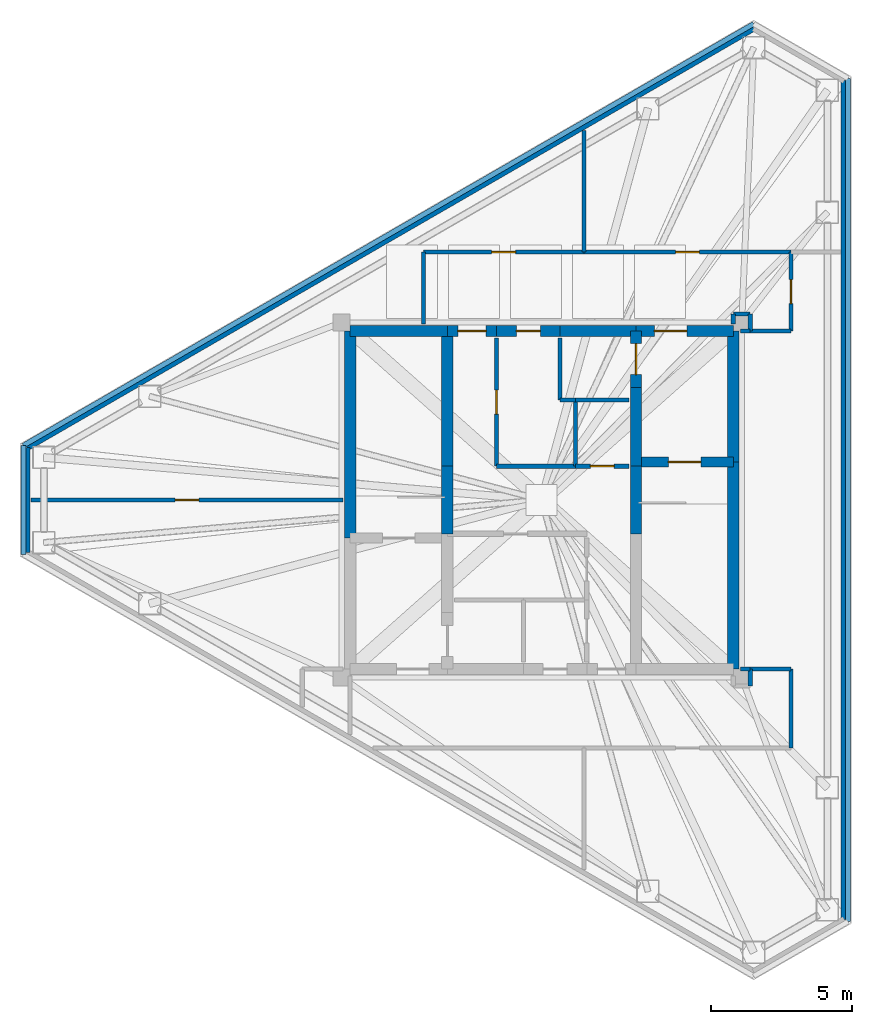
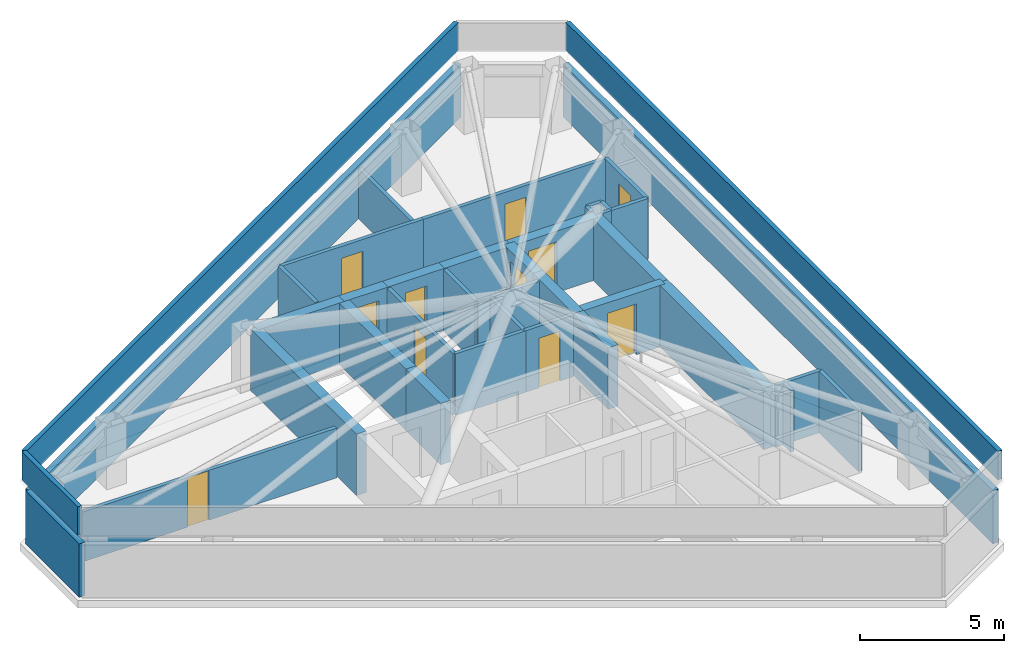
# One storey, part 3 of 5: 42 walls, 11 doors, 11 openings.
"""IFC4 building model written with IfcOpenShell, lengths in metres."""

from ifc_helpers import new_model, si_unit, direction, frame, frame_2d, origin, place, context, subcontext, project, spatial, rectangle, extrude, material, layer, layer_set, type_object, element, fill, save


model = new_model("IFC4")

# Units and contexts
model_context = context("Model", 3, precision=1e-05, world=origin(), true_north=direction((0.0, 1.0)))
body_context = subcontext(model_context, "Body", "Model", "MODEL_VIEW")
ifc_project = project(units=[si_unit("LENGTHUNIT", "METRE"), si_unit("AREAUNIT", "SQUARE_METRE"), si_unit("VOLUMEUNIT", "CUBIC_METRE"), si_unit("PLANEANGLEUNIT", "RADIAN"), si_unit("MASSUNIT", "GRAM", prefix="KILO")], contexts=[model_context])

# Site, building, storey
site_placement = place(None, origin())
site = spatial("IfcSite", under=ifc_project, at=site_placement, CompositionType="ELEMENT")
building_placement = place(site_placement, origin())
building = spatial("IfcBuilding", under=site, at=building_placement, Name="Mersakhor Tower and Convention Hall", CompositionType="ELEMENT")
storey_placement = place(building_placement, frame((0.0, 0.0, 264.0)))
storey = spatial("IfcBuildingStorey", under=building, at=storey_placement, Name="L73", CompositionType="ELEMENT", Elevation=264.0)

# Walls
ifc_material_1 = material(Name="Precast concrete C40/50", Category="concrete")
ifc_layer_1 = layer(ifc_material_1, 0.22509765625)
ifc_layer_set_1 = layer_set([ifc_layer_1], Name="Precast concrete C40/50")
wall_type_1 = type_object("IfcWallType", Name="WL-EXT-225", PredefinedType="SOLIDWALL", material=ifc_layer_set_1)
wall_1_placement = place(storey_placement, frame((10.73193359375, 28.607666015625, 0.0), z_axis=(0.0, 0.0, 1.0), x_axis=(0.866023553042, 0.500003205566, 0.0)))
element("IfcWall", 1, at=wall_1_placement, inside=storey, type_object=wall_type_1, Name="L73 Glass-Point Crown Eave Cladding Wall 1", PredefinedType="SOLIDWALL", context=body_context, shape_type="SweptSolid", body=[
    extrude(rectangle(XDim=29.783447265625, YDim=0.22509765625, at=frame_2d((14.8916015625, 0.0))), origin(), (0.0, 0.0, 1.0), 2.25),
])
wall_2_placement = place(storey_placement, frame((39.742919921875, 41.641845703125, 0.0), z_axis=(0.0, 0.0, 1.0), x_axis=(0.0, -1.0, 0.0)))
element("IfcWall", 2, at=wall_2_placement, inside=storey, type_object=wall_type_1, Name="L73 Glass-Point Crown Eave Cladding Wall 3", PredefinedType="SOLIDWALL", context=body_context, shape_type="SweptSolid", body=[
    extrude(rectangle(XDim=29.78369140625, YDim=0.22509765625, at=frame_2d((14.891845703125, 0.0))), origin(), (0.0, 0.0, 1.0), 2.25),
])
wall_3_placement = place(storey_placement, frame((10.73193359375, 24.892333984375, 0.0), z_axis=(0.0, 0.0, 1.0), x_axis=(0.0, 1.0, 0.0)))
element("IfcWall", 3, at=wall_3_placement, inside=storey, type_object=wall_type_1, Name="L73 Glass-Point Crown Eave Cladding Wall 6", PredefinedType="SOLIDWALL", context=body_context, shape_type="SweptSolid", body=[
    extrude(rectangle(XDim=3.71533203125, YDim=0.22509765625, at=frame_2d((1.857666015625, 0.0))), origin(), (0.0, 0.0, 1.0), 2.25),
])
ifc_material_2 = material(Name="Precast concrete C40/50", Category="concrete")
ifc_layer_2 = layer(ifc_material_2, 0.175048828125)
ifc_layer_set_2 = layer_set([ifc_layer_2], Name="Precast concrete C40/50")
wall_type_2 = type_object("IfcWallType", Name="WL-PAR-175", PredefinedType="PARAPET", material=ifc_layer_set_2)
wall_4_placement = place(storey_placement, frame((10.60205078125, 28.6826171875, 2.699951171875), z_axis=(0.0, 0.0, 1.0), x_axis=(0.866024093284, 0.500002269847, 0.0)))
element("IfcWall", 4, at=wall_4_placement, inside=storey, type_object=wall_type_2, Name="L73 Crown Eave Perimeter Parapet 1", PredefinedType="PARAPET", context=body_context, shape_type="SweptSolid", body=[
    extrude(rectangle(XDim=29.933349609375, YDim=0.175048828125, at=frame_2d((14.966796875, 0.0))), origin(), (0.0, 0.0, 1.0), 1.199951171875),
])
wall_5_placement = place(storey_placement, frame((39.872802734375, 41.716796875, 2.699951171875), z_axis=(0.0, 0.0, 1.0), x_axis=(0.0, -1.0, 0.0)))
element("IfcWall", 5, at=wall_5_placement, inside=storey, type_object=wall_type_2, Name="L73 Crown Eave Perimeter Parapet 3", PredefinedType="PARAPET", context=body_context, shape_type="SweptSolid", body=[
    extrude(rectangle(XDim=29.93359375, YDim=0.175048828125, at=frame_2d((14.966796875, 0.0))), origin(), (0.0, 0.0, 1.0), 1.199951171875),
])
wall_6_placement = place(storey_placement, frame((10.60205078125, 24.8173828125, 2.699951171875), z_axis=(0.0, 0.0, 1.0), x_axis=(0.0, 1.0, 0.0)))
element("IfcWall", 6, at=wall_6_placement, inside=storey, type_object=wall_type_2, Name="L73 Crown Eave Perimeter Parapet 6", PredefinedType="PARAPET", context=body_context, shape_type="SweptSolid", body=[
    extrude(rectangle(XDim=3.865234375, YDim=0.175048828125, at=frame_2d((1.9326171875, 0.0))), origin(), (0.0, 0.0, 1.0), 1.199951171875),
])
ifc_material_3 = material(Name="Fire-rated gypsum board stud partition", Category="other")
ifc_layer_3 = layer(ifc_material_3, 0.14990234375)
ifc_layer_set_3 = layer_set([ifc_layer_3], Name="Fire-rated gypsum board stud partition")
wall_type_3 = type_object("IfcWallType", Name="WL-PRT-150", PredefinedType="PARTITIONING", material=ifc_layer_set_3)
wall_7_placement = place(storey_placement, frame((32.10009765625, 30.300048828125, 0.0), z_axis=(0.0, 0.0, 1.0), x_axis=(-1.0, 0.0, 0.0)))
element("IfcWall", 7, at=wall_7_placement, inside=storey, type_object=wall_type_3, Name="L73 Interior Partition Wall P-003", PredefinedType="PARTITIONING", context=body_context, shape_type="SweptSolid", body=[
    extrude(rectangle(XDim=1.900146484375, YDim=0.14990234375, at=frame_2d((0.9501953125, 0.0))), origin(), (0.0, 0.0, 1.0), 2.60009765625),
])
wall_8_placement = place(storey_placement, frame((30.199951171875, 30.300048828125, 0.0), z_axis=(0.0, 0.0, 1.0), x_axis=(-1.0, 0.0, 0.0)))
element("IfcWall", 8, at=wall_8_placement, inside=storey, type_object=wall_type_3, Name="L73 Interior Partition Wall P-004", PredefinedType="PARTITIONING", context=body_context, shape_type="SweptSolid", body=[
    extrude(rectangle(XDim=0.550048828125, YDim=0.14990234375, at=frame_2d((0.27490234375, 0.0))), origin(), (0.0, 0.0, 1.0), 2.60009765625),
])
wall_9_placement = place(storey_placement, frame((29.64990234375, 30.300048828125, 0.0), z_axis=(0.0, 0.0, 1.0), x_axis=(0.0, 1.0, 0.0)))
element("IfcWall", 9, at=wall_9_placement, inside=storey, type_object=wall_type_3, Name="L73 Interior Partition Wall P-005", PredefinedType="PARTITIONING", context=body_context, shape_type="SweptSolid", body=[
    extrude(rectangle(XDim=2.199951171875, YDim=0.14990234375, at=frame_2d((1.10009765625, 0.0))), origin(), (0.0, 0.0, 1.0), 2.60009765625),
])

# Wall, opening, door
wall_10_placement = place(storey_placement, frame((27.39990234375, 32.5, 0.0), z_axis=(0.0, 0.0, 1.0), x_axis=(0.0, -1.0, 0.0)))
wall_10 = element("IfcWall", 10, at=wall_10_placement, inside=storey, type_object=wall_type_3, Name="L73 Interior Partition Wall P-008", PredefinedType="PARTITIONING", context=body_context, shape_type="SweptSolid", body=[
    extrude(rectangle(XDim=4.550048828125, YDim=0.14990234375, at=frame_2d((2.27490234375, 0.0))), origin(), (0.0, 0.0, 1.0), 2.60009765625),
])
opening_1_placement = place(wall_10_placement, frame((1.85009765625, 0.0, 0.0)))
opening_1 = element("IfcOpeningElement", 11, at=opening_1_placement, cuts=wall_10, Name="Opening SVD-01", PredefinedType="OPENING", context=body_context, shape_type="SweptSolid", body=[
    extrude(rectangle(XDim=0.85009765625, YDim=2.10009765625, at=frame_2d((0.425048828125, 1.050048828125))), frame((0.0, 0.0849609375, 0.0), z_axis=(0.0, -1.0, 0.0), x_axis=(1.0, 0.0, 0.0)), (0.0, 0.0, 1.0), 0.169921875),
])
ifc_material_4 = material(Name="Fire-rated hardwood leaf and painted steel frame", Category="steel")
door_type_1 = type_object("IfcDoorType", Name="DR-INT-SVC-085x210", OperationType="NOTDEFINED", PredefinedType="DOOR", material=ifc_material_4)
door_1_placement = place(opening_1_placement, origin())
door_1 = element("IfcDoor", 12, at=door_1_placement, inside=storey, type_object=door_type_1, Name="L73 Central Passenger Lift Lobby to Core Pressurisation Fan Plant Room Door", OperationType="SINGLE_SWING_RIGHT", OverallHeight=2.10009765625, OverallWidth=0.85009765625, PredefinedType="DOOR", context=body_context, shape_type="SweptSolid", body=[
    extrude(rectangle(XDim=0.85009765625, YDim=2.10009765625, at=frame_2d((0.425048828125, 1.050048828125))), frame((0.0, 0.02490234375, 0.0), z_axis=(0.0, -1.0, 0.0), x_axis=(1.0, 0.0, 0.0)), (0.0, 0.0, 1.0), 0.050048828125),
])
fill(opening_1, door_1)

# Wall
wall_11_placement = place(storey_placement, frame((27.39990234375, 27.949951171875, 0.0), z_axis=(0.0, 0.0, 1.0), x_axis=(1.0, 0.0, 0.0)))
element("IfcWall", 13, at=wall_11_placement, inside=storey, type_object=wall_type_3, Name="L73 Interior Partition Wall P-009", PredefinedType="PARTITIONING", context=body_context, shape_type="SweptSolid", body=[
    extrude(rectangle(XDim=2.800048828125, YDim=0.14990234375, at=frame_2d((1.39990234375, 0.0))), origin(), (0.0, 0.0, 1.0), 2.60009765625),
])

# Wall, opening, door
wall_12_placement = place(storey_placement, frame((30.199951171875, 27.949951171875, 0.0), z_axis=(0.0, 0.0, 1.0), x_axis=(1.0, 0.0, 0.0)))
wall_12 = element("IfcWall", 14, at=wall_12_placement, inside=storey, type_object=wall_type_3, Name="L73 Interior Partition Wall P-010", PredefinedType="PARTITIONING", context=body_context, shape_type="SweptSolid", body=[
    extrude(rectangle(XDim=1.900146484375, YDim=0.14990234375, at=frame_2d((0.9501953125, 0.0))), origin(), (0.0, 0.0, 1.0), 2.60009765625),
])
opening_2_placement = place(wall_12_placement, frame((0.52490234375, 0.0, 0.0)))
opening_2 = element("IfcOpeningElement", 15, at=opening_2_placement, cuts=wall_12, Name="Opening SVD-01", PredefinedType="OPENING", context=body_context, shape_type="SweptSolid", body=[
    extrude(rectangle(XDim=0.85009765625, YDim=2.10009765625, at=frame_2d((0.425048828125, 1.050048828125))), frame((0.0, 0.0849609375, 0.0), z_axis=(0.0, -1.0, 0.0), x_axis=(1.0, 0.0, 0.0)), (0.0, 0.0, 1.0), 0.169921875),
])
door_2_placement = place(opening_2_placement, origin())
door_2 = element("IfcDoor", 16, at=door_2_placement, inside=storey, type_object=door_type_1, Name="L73 Central Passenger Lift Lobby to Core Fire Alarm and BMS Plant Room Door", OperationType="SINGLE_SWING_LEFT", OverallHeight=2.10009765625, OverallWidth=0.85009765625, PredefinedType="DOOR", context=body_context, shape_type="SweptSolid", body=[
    extrude(rectangle(XDim=0.85009765625, YDim=2.10009765625, at=frame_2d((0.425048828125, 1.050048828125))), frame((0.0, 0.02490234375, 0.0), z_axis=(0.0, -1.0, 0.0), x_axis=(1.0, 0.0, 0.0)), (0.0, 0.0, 1.0), 0.050048828125),
])
fill(opening_2, door_2)

wall_13_placement = place(storey_placement, frame((24.800048828125, 35.550048828125, 0.0), z_axis=(0.0, 0.0, 1.0), x_axis=(1.0, 0.0, 0.0)))
wall_13 = element("IfcWall", 17, at=wall_13_placement, inside=storey, type_object=wall_type_3, Name="L73 Interior Partition Wall P-011", PredefinedType="PARTITIONING", context=body_context, shape_type="SweptSolid", body=[
    extrude(rectangle(XDim=5.699951171875, YDim=0.14990234375, at=frame_2d((2.85009765625, 0.0))), origin(), (0.0, 0.0, 1.0), 2.60009765625),
])
opening_3_placement = place(wall_13_placement, frame((2.425048828125, 0.0, 0.0)))
opening_3 = element("IfcOpeningElement", 18, at=opening_3_placement, cuts=wall_13, Name="Opening SVD-01", PredefinedType="OPENING", context=body_context, shape_type="SweptSolid", body=[
    extrude(rectangle(XDim=0.85009765625, YDim=2.10009765625, at=frame_2d((0.425048828125, 1.050048828125))), frame((0.0, 0.0849609375, 0.0), z_axis=(0.0, -1.0, 0.0), x_axis=(1.0, 0.0, 0.0)), (0.0, 0.0, 1.0), 0.169921875),
])
door_3_placement = place(opening_3_placement, origin())
door_3 = element("IfcDoor", 19, at=door_3_placement, inside=storey, type_object=door_type_1, Name="L73 L73 North Mechanical Plant Corridor to Adiabatic Chiller Cooling Plant Room Door", OperationType="SINGLE_SWING_LEFT", OverallHeight=2.10009765625, OverallWidth=0.85009765625, PredefinedType="DOOR", context=body_context, shape_type="SweptSolid", body=[
    extrude(rectangle(XDim=0.85009765625, YDim=2.10009765625, at=frame_2d((0.425048828125, 1.050048828125))), frame((0.0, 0.02490234375, 0.0), z_axis=(0.0, -1.0, 0.0), x_axis=(1.0, 0.0, 0.0)), (0.0, 0.0, 1.0), 0.050048828125),
])
fill(opening_3, door_3)

wall_14_placement = place(storey_placement, frame((30.5, 35.550048828125, 0.0), z_axis=(0.0, 0.0, 1.0), x_axis=(1.0, 0.0, 0.0)))
wall_14 = element("IfcWall", 20, at=wall_14_placement, inside=storey, type_object=wall_type_3, Name="L73 Interior Partition Wall P-012", PredefinedType="PARTITIONING", context=body_context, shape_type="SweptSolid", body=[
    extrude(rectangle(XDim=7.35009765625, YDim=0.14990234375, at=frame_2d((3.675048828125, 0.0))), origin(), (0.0, 0.0, 1.0), 2.60009765625),
])
opening_4_placement = place(wall_14_placement, frame((3.25, 0.0, 0.0)))
opening_4 = element("IfcOpeningElement", 21, at=opening_4_placement, cuts=wall_14, Name="Opening SVD-01", PredefinedType="OPENING", context=body_context, shape_type="SweptSolid", body=[
    extrude(rectangle(XDim=0.85009765625, YDim=2.10009765625, at=frame_2d((0.425048828125, 1.050048828125))), frame((0.0, 0.0849609375, 0.0), z_axis=(0.0, -1.0, 0.0), x_axis=(1.0, 0.0, 0.0)), (0.0, 0.0, 1.0), 0.169921875),
])
door_4_placement = place(opening_4_placement, origin())
door_4 = element("IfcDoor", 22, at=door_4_placement, inside=storey, type_object=door_type_1, Name="L73 L73 North Mechanical Plant Corridor to Heat-Recovery Ventilation Plant Room Door", OperationType="SINGLE_SWING_RIGHT", OverallHeight=2.10009765625, OverallWidth=0.85009765625, PredefinedType="DOOR", context=body_context, shape_type="SweptSolid", body=[
    extrude(rectangle(XDim=0.85009765625, YDim=2.10009765625, at=frame_2d((0.425048828125, 1.050048828125))), frame((0.0, 0.02490234375, 0.0), z_axis=(0.0, -1.0, 0.0), x_axis=(1.0, 0.0, 0.0)), (0.0, 0.0, 1.0), 0.050048828125),
])
fill(opening_4, door_4)

wall_15_placement = place(storey_placement, frame((37.85009765625, 35.550048828125, 0.0), z_axis=(0.0, 0.0, 1.0), x_axis=(0.0, -1.0, 0.0)))
wall_15 = element("IfcWall", 23, at=wall_15_placement, inside=storey, type_object=wall_type_3, Name="L73 Interior Partition Wall P-013", PredefinedType="PARTITIONING", context=body_context, shape_type="SweptSolid", body=[
    extrude(rectangle(XDim=2.800048828125, YDim=0.14990234375, at=frame_2d((1.39990234375, 0.0))), origin(), (0.0, 0.0, 1.0), 2.60009765625),
])
opening_5_placement = place(wall_15_placement, frame((0.97509765625, 0.0, 0.0)))
opening_5 = element("IfcOpeningElement", 24, at=opening_5_placement, cuts=wall_15, Name="Opening SVD-01", PredefinedType="OPENING", context=body_context, shape_type="SweptSolid", body=[
    extrude(rectangle(XDim=0.85009765625, YDim=2.10009765625, at=frame_2d((0.425048828125, 1.050048828125))), frame((0.0, 0.0849609375, 0.0), z_axis=(0.0, -1.0, 0.0), x_axis=(1.0, 0.0, 0.0)), (0.0, 0.0, 1.0), 0.169921875),
])
door_5_placement = place(opening_5_placement, origin())
door_5 = element("IfcDoor", 25, at=door_5_placement, inside=storey, type_object=door_type_1, Name="L73 L73 North Mechanical Plant Corridor to Solar Thermal Water Tank Plant Room Door", OperationType="SINGLE_SWING_RIGHT", OverallHeight=2.10009765625, OverallWidth=0.85009765625, PredefinedType="DOOR", context=body_context, shape_type="SweptSolid", body=[
    extrude(rectangle(XDim=0.85009765625, YDim=2.10009765625, at=frame_2d((0.425048828125, 1.050048828125))), frame((0.0, 0.02490234375, 0.0), z_axis=(0.0, -1.0, 0.0), x_axis=(1.0, 0.0, 0.0)), (0.0, 0.0, 1.0), 0.050048828125),
])
fill(opening_5, door_5)

# Walls
wall_16_placement = place(storey_placement, frame((37.85009765625, 32.75, 0.0), z_axis=(0.0, 0.0, 1.0), x_axis=(-1.0, 0.0, 0.0)))
element("IfcWall", 26, at=wall_16_placement, inside=storey, type_object=wall_type_3, Name="L73 Interior Partition Wall P-014", PredefinedType="PARTITIONING", context=body_context, shape_type="SweptSolid", body=[
    extrude(rectangle(XDim=1.4501953125, YDim=0.14990234375, at=frame_2d((0.72509765625, 0.0))), origin(), (0.0, 0.0, 1.0), 2.60009765625),
])
wall_17_placement = place(storey_placement, frame((36.39990234375, 32.75, 0.0), z_axis=(0.0, 0.0, 1.0), x_axis=(0.0, 1.0, 0.0)))
element("IfcWall", 27, at=wall_17_placement, inside=storey, type_object=wall_type_3, Name="L73 Interior Partition Wall P-015", PredefinedType="PARTITIONING", context=body_context, shape_type="SweptSolid", body=[
    extrude(rectangle(XDim=0.60009765625, YDim=0.14990234375, at=frame_2d((0.300048828125, 0.0))), origin(), (0.0, 0.0, 1.0), 2.60009765625),
])
wall_18_placement = place(storey_placement, frame((36.39990234375, 33.35009765625, 0.0), z_axis=(0.0, 0.0, 1.0), x_axis=(-1.0, 0.0, 0.0)))
element("IfcWall", 28, at=wall_18_placement, inside=storey, type_object=wall_type_3, Name="L73 Interior Partition Wall P-016", PredefinedType="PARTITIONING", context=body_context, shape_type="SweptSolid", body=[
    extrude(rectangle(XDim=0.599853515625, YDim=0.14990234375, at=frame_2d((0.2998046875, 0.0))), origin(), (0.0, 0.0, 1.0), 2.60009765625),
])
wall_19_placement = place(storey_placement, frame((35.800048828125, 33.35009765625, 0.0), z_axis=(0.0, 0.0, 1.0), x_axis=(0.0, -1.0, 0.0)))
element("IfcWall", 29, at=wall_19_placement, inside=storey, type_object=wall_type_3, Name="L73 Interior Partition Wall P-017", PredefinedType="PARTITIONING", context=body_context, shape_type="SweptSolid", body=[
    extrude(rectangle(XDim=0.35009765625, YDim=0.14990234375, at=frame_2d((0.175048828125, 0.0))), origin(), (0.0, 0.0, 1.0), 2.60009765625),
])
wall_20_placement = place(storey_placement, frame((24.800048828125, 33.0, 0.0), z_axis=(0.0, 0.0, 1.0), x_axis=(0.0, 1.0, 0.0)))
element("IfcWall", 30, at=wall_20_placement, inside=storey, type_object=wall_type_3, Name="L73 Interior Partition Wall P-018", PredefinedType="PARTITIONING", context=body_context, shape_type="SweptSolid", body=[
    extrude(rectangle(XDim=2.550048828125, YDim=0.14990234375, at=frame_2d((1.27490234375, 0.0))), origin(), (0.0, 0.0, 1.0), 2.60009765625),
])
wall_21_placement = place(storey_placement, frame((36.39990234375, 20.14990234375, 0.0), z_axis=(0.0, 0.0, 1.0), x_axis=(0.0, 1.0, 0.0)))
element("IfcWall", 31, at=wall_21_placement, inside=storey, type_object=wall_type_3, Name="L73 Interior Partition Wall P-021", PredefinedType="PARTITIONING", context=body_context, shape_type="SweptSolid", body=[
    extrude(rectangle(XDim=0.60009765625, YDim=0.14990234375, at=frame_2d((0.300048828125, 0.0))), origin(), (0.0, 0.0, 1.0), 2.60009765625),
])
wall_22_placement = place(storey_placement, frame((36.39990234375, 20.75, 0.0), z_axis=(0.0, 0.0, 1.0), x_axis=(1.0, 0.0, 0.0)))
element("IfcWall", 32, at=wall_22_placement, inside=storey, type_object=wall_type_3, Name="L73 Interior Partition Wall P-022", PredefinedType="PARTITIONING", context=body_context, shape_type="SweptSolid", body=[
    extrude(rectangle(XDim=1.4501953125, YDim=0.14990234375, at=frame_2d((0.72509765625, 0.0))), origin(), (0.0, 0.0, 1.0), 2.60009765625),
])
wall_23_placement = place(storey_placement, frame((37.85009765625, 20.75, 0.0), z_axis=(0.0, 0.0, 1.0), x_axis=(0.0, -1.0, 0.0)))
element("IfcWall", 33, at=wall_23_placement, inside=storey, type_object=wall_type_3, Name="L73 Interior Partition Wall P-023", PredefinedType="PARTITIONING", context=body_context, shape_type="SweptSolid", body=[
    extrude(rectangle(XDim=2.800048828125, YDim=0.14990234375, at=frame_2d((1.39990234375, 0.0))), origin(), (0.0, 0.0, 1.0), 2.60009765625),
])
wall_24_placement = place(storey_placement, frame((30.199951171875, 30.300048828125, 0.0), z_axis=(0.0, 0.0, 1.0), x_axis=(0.0, -1.0, 0.0)))
element("IfcWall", 34, at=wall_24_placement, inside=storey, type_object=wall_type_3, Name="L73 Interior Partition Wall P-028", PredefinedType="PARTITIONING", context=body_context, shape_type="SweptSolid", body=[
    extrude(rectangle(XDim=2.35009765625, YDim=0.14990234375, at=frame_2d((1.175048828125, 0.0))), origin(), (0.0, 0.0, 1.0), 2.60009765625),
])
wall_25_placement = place(storey_placement, frame((30.5, 35.550048828125, 0.0), z_axis=(0.0, 0.0, 1.0), x_axis=(0.0, 1.0, 0.0)))
element("IfcWall", 35, at=wall_25_placement, inside=storey, type_object=wall_type_3, Name="L73 Interior Partition Wall P-030", PredefinedType="PARTITIONING", context=body_context, shape_type="SweptSolid", body=[
    extrude(rectangle(XDim=4.31298828125, YDim=0.14990234375, at=frame_2d((2.156494140625, 0.0))), origin(), (0.0, 0.0, 1.0), 2.10498046875),
])

# Wall, opening, door
wall_26_placement = place(storey_placement, frame((21.949951171875, 26.75, 0.0), z_axis=(0.0, 0.0, 1.0), x_axis=(-1.0, 0.0, 0.0)))
wall_26 = element("IfcWall", 36, at=wall_26_placement, inside=storey, type_object=wall_type_3, Name="L73 Interior Partition Wall P-031", PredefinedType="PARTITIONING", context=body_context, shape_type="SweptSolid", body=[
    extrude(rectangle(XDim=11.08154296875, YDim=0.14990234375, at=frame_2d((5.540771484375, 0.0))), origin(), (0.0, 0.0, 1.0), 2.10498046875),
])
opening_6_placement = place(wall_26_placement, frame((5.11572265625, 0.0, 0.0)))
opening_6 = element("IfcOpeningElement", 37, at=opening_6_placement, cuts=wall_26, Name="Opening SVD-01", PredefinedType="OPENING", context=body_context, shape_type="SweptSolid", body=[
    extrude(rectangle(XDim=0.85009765625, YDim=2.090087890625, at=frame_2d((0.425048828125, 1.044921875))), frame((0.0, 0.0849609375, 0.0), z_axis=(0.0, -1.0, 0.0), x_axis=(1.0, 0.0, 0.0)), (0.0, 0.0, 1.0), 0.169921875),
])
door_6_placement = place(opening_6_placement, origin())
door_6 = element("IfcDoor", 38, at=door_6_placement, inside=storey, type_object=door_type_1, Name="L73 Adiabatic Chiller Cooling Plant Room to Crown LV Switchboard and UPS Plant Room Door", OperationType="SINGLE_SWING_LEFT", OverallHeight=2.090087890625, OverallWidth=0.85009765625, PredefinedType="DOOR", context=body_context, shape_type="SweptSolid", body=[
    extrude(rectangle(XDim=0.85009765625, YDim=2.090087890625, at=frame_2d((0.425048828125, 1.044921875))), frame((0.0, 0.02490234375, 0.0), z_axis=(0.0, -1.0, 0.0), x_axis=(1.0, 0.0, 0.0)), (0.0, 0.0, 1.0), 0.050048828125),
])
fill(opening_6, door_6)

# Walls
for number, where, z_axis, x_axis, name in (
    (39, (36.39990234375, 20.75, 0.0), (0.0, 0.0, 1.0), (-1.0, 0.0, 0.0), "L73 Interior Partition Wall P-035"),
    (40, (36.050048828125, 32.75, 0.0), (0.0, 0.0, 1.0), (1.0, 0.0, 0.0), "L73 Interior Partition Wall P-036"),
):
    element("IfcWall", number, at=place(storey_placement, frame(where, z_axis=z_axis, x_axis=x_axis)), inside=storey, type_object=wall_type_3, Name=name, PredefinedType="PARTITIONING", context=body_context, shape_type="SweptSolid", body=[
        extrude(rectangle(XDim=0.349853515625, YDim=0.14990234375, at=frame_2d((0.1748046875, 0.0))), origin(), (0.0, 0.0, 1.0), 2.60009765625),
    ])

# Wall, opening, door
ifc_material_5 = material(Name="Concrete C50/60", Category="concrete")
ifc_layer_4 = layer(ifc_material_5, 0.35009765625)
ifc_layer_set_4 = layer_set([ifc_layer_4], Name="Concrete C50/60")
wall_type_4 = type_object("IfcWallType", Name="WL-SHR-350", PredefinedType="SHEAR", material=ifc_layer_set_4)
wall_27_placement = place(storey_placement, frame((32.35009765625, 28.10009765625, 0.0), z_axis=(0.0, 0.0, 1.0), x_axis=(1.0, 0.0, 0.0)))
wall_27 = element("IfcWall", 41, at=wall_27_placement, inside=storey, type_object=wall_type_4, Name="L73 Core Wall CS-ST2-N", PredefinedType="SHEAR", context=body_context, shape_type="SweptSolid", body=[
    extrude(rectangle(XDim=3.449951171875, YDim=0.35009765625, at=frame_2d((1.72509765625, 0.0))), origin(), (0.0, 0.0, 1.0), 2.60009765625),
])
opening_7_placement = place(wall_27_placement, frame((1.14990234375, 0.0, 0.0)))
opening_7 = element("IfcOpeningElement", 42, at=opening_7_placement, cuts=wall_27, Name="Opening SD-01", PredefinedType="OPENING", context=body_context, shape_type="SweptSolid", body=[
    extrude(rectangle(XDim=1.14990234375, YDim=2.14990234375, at=frame_2d((0.574951171875, 1.074951171875))), frame((0.0, 0.18505859375, 0.0), z_axis=(0.0, -1.0, 0.0), x_axis=(1.0, 0.0, 0.0)), (0.0, 0.0, 1.0), 0.3701171875),
])
ifc_material_6 = material(Name="Fire-rated hardwood leaf and painted steel frame", Category="steel")
door_type_2 = type_object("IfcDoorType", Name="DR-INT-STAIR-115x215", OperationType="NOTDEFINED", PredefinedType="DOOR", material=ifc_material_6)
door_7_placement = place(opening_7_placement, origin())
door_7 = element("IfcDoor", 43, at=door_7_placement, inside=storey, type_object=door_type_2, Name="L73 Exit Stair ST-2 Enclosure Door", OperationType="SINGLE_SWING_RIGHT", OverallHeight=2.14990234375, OverallWidth=1.14990234375, PredefinedType="DOOR", context=body_context, shape_type="SweptSolid", body=[
    extrude(rectangle(XDim=1.14990234375, YDim=2.14990234375, at=frame_2d((0.574951171875, 1.074951171875))), frame((0.0, 0.02490234375, 0.0), z_axis=(0.0, -1.0, 0.0), x_axis=(1.0, 0.0, 0.0)), (0.0, 0.0, 1.0), 0.050048828125),
])
fill(opening_7, door_7)

# Walls
ifc_material_7 = material(Name="Concrete C60/75", Category="concrete")
ifc_layer_5 = layer(ifc_material_7, 0.39990234375)
ifc_layer_set_5 = layer_set([ifc_layer_5], Name="Concrete C60/75")
wall_type_5 = type_object("IfcWallType", Name="WL-SHR-400", PredefinedType="SHEAR", material=ifc_layer_set_5)
wall_28_placement = place(storey_placement, frame((22.199951171875, 25.39990234375, 0.0), z_axis=(0.0, 0.0, 1.0), x_axis=(0.0, 1.0, 0.0)))
element("IfcWall", 44, at=wall_28_placement, inside=storey, type_object=wall_type_5, Name="L73 Core Wall CW-W2", PredefinedType="SHEAR", context=body_context, shape_type="SweptSolid", body=[
    extrude(rectangle(XDim=7.35009765625, YDim=0.39990234375, at=frame_2d((3.675048828125, 0.0))), origin(), (0.0, 0.0, 1.0), 2.60009765625),
])
wall_29_placement = place(storey_placement, frame((22.199951171875, 32.75, 0.0), z_axis=(0.0, 0.0, 1.0), x_axis=(1.0, 0.0, 0.0)))
element("IfcWall", 45, at=wall_29_placement, inside=storey, type_object=wall_type_5, Name="L73 Core Wall CW-N1", PredefinedType="SHEAR", context=body_context, shape_type="SweptSolid", body=[
    extrude(rectangle(XDim=3.449951171875, YDim=0.39990234375, at=frame_2d((1.72509765625, 0.0))), origin(), (0.0, 0.0, 1.0), 2.60009765625),
])

# Wall, opening, door
wall_30_placement = place(storey_placement, frame((25.64990234375, 32.75, 0.0), z_axis=(0.0, 0.0, 1.0), x_axis=(1.0, 0.0, 0.0)))
wall_30 = element("IfcWall", 46, at=wall_30_placement, inside=storey, type_object=wall_type_5, Name="L73 Core Wall CW-N2A", PredefinedType="SHEAR", context=body_context, shape_type="SweptSolid", body=[
    extrude(rectangle(XDim=1.75, YDim=0.39990234375, at=frame_2d((0.875, 0.0))), origin(), (0.0, 0.0, 1.0), 2.60009765625),
])
opening_8_placement = place(wall_30_placement, frame((0.375, 0.0, 0.0)))
opening_8 = element("IfcOpeningElement", 47, at=opening_8_placement, cuts=wall_30, Name="Opening CFD-01", PredefinedType="OPENING", context=body_context, shape_type="SweptSolid", body=[
    extrude(rectangle(XDim=1.0, YDim=2.14990234375, at=frame_2d((0.5, 1.074951171875))), frame((0.0, 0.2099609375, 0.0), z_axis=(0.0, -1.0, 0.0), x_axis=(1.0, 0.0, 0.0)), (0.0, 0.0, 1.0), 0.419921875),
])
ifc_material_8 = material(Name="Fire-rated hardwood leaf and painted steel frame", Category="steel")
door_type_3 = type_object("IfcDoorType", Name="DR-CORE-FD-100x215", OperationType="NOTDEFINED", PredefinedType="DOOR", material=ifc_material_8)
door_8_placement = place(opening_8_placement, origin())
door_8 = element("IfcDoor", 48, at=door_8_placement, inside=storey, type_object=door_type_3, Name="L73 Lift Lobby North Corridor Door", OperationType="SINGLE_SWING_LEFT", OverallHeight=2.14990234375, OverallWidth=1.0, PredefinedType="DOOR", context=body_context, shape_type="SweptSolid", body=[
    extrude(rectangle(XDim=1.0, YDim=2.14990234375, at=frame_2d((0.5, 1.074951171875))), frame((0.0, 0.02490234375, 0.0), z_axis=(0.0, -1.0, 0.0), x_axis=(1.0, 0.0, 0.0)), (0.0, 0.0, 1.0), 0.050048828125),
])
fill(opening_8, door_8)

wall_31_placement = place(storey_placement, frame((27.39990234375, 32.75, 0.0), z_axis=(0.0, 0.0, 1.0), x_axis=(1.0, 0.0, 0.0)))
wall_31 = element("IfcWall", 49, at=wall_31_placement, inside=storey, type_object=wall_type_5, Name="L73 Core Wall CW-N2B", PredefinedType="SHEAR", context=body_context, shape_type="SweptSolid", body=[
    extrude(rectangle(XDim=2.25, YDim=0.39990234375, at=frame_2d((1.125, 0.0))), origin(), (0.0, 0.0, 1.0), 2.60009765625),
])
opening_9_placement = place(wall_31_placement, frame((0.699951171875, 0.0, 0.0)))
opening_9 = element("IfcOpeningElement", 50, at=opening_9_placement, cuts=wall_31, Name="Opening SVD-01", PredefinedType="OPENING", context=body_context, shape_type="SweptSolid", body=[
    extrude(rectangle(XDim=0.85009765625, YDim=2.10009765625, at=frame_2d((0.425048828125, 1.050048828125))), frame((0.0, 0.2099609375, 0.0), z_axis=(0.0, -1.0, 0.0), x_axis=(1.0, 0.0, 0.0)), (0.0, 0.0, 1.0), 0.419921875),
])
door_9_placement = place(opening_9_placement, origin())
door_9 = element("IfcDoor", 51, at=door_9_placement, inside=storey, type_object=door_type_1, Name="L73 L73 North Mechanical Plant Corridor to Core Pressurisation Fan Plant Room Door", OperationType="SINGLE_SWING_LEFT", OverallHeight=2.10009765625, OverallWidth=0.85009765625, PredefinedType="DOOR", context=body_context, shape_type="SweptSolid", body=[
    extrude(rectangle(XDim=0.85009765625, YDim=2.10009765625, at=frame_2d((0.425048828125, 1.050048828125))), frame((0.0, 0.02490234375, 0.0), z_axis=(0.0, -1.0, 0.0), x_axis=(1.0, 0.0, 0.0)), (0.0, 0.0, 1.0), 0.050048828125),
])
fill(opening_9, door_9)

# Wall
wall_32_placement = place(storey_placement, frame((29.64990234375, 32.75, 0.0), z_axis=(0.0, 0.0, 1.0), x_axis=(1.0, 0.0, 0.0)))
element("IfcWall", 52, at=wall_32_placement, inside=storey, type_object=wall_type_5, Name="L73 Core Wall CW-N3", PredefinedType="SHEAR", context=body_context, shape_type="SweptSolid", body=[
    extrude(rectangle(XDim=2.7001953125, YDim=0.39990234375, at=frame_2d((1.35009765625, 0.0))), origin(), (0.0, 0.0, 1.0), 2.60009765625),
])

# Wall, opening, door
wall_33_placement = place(storey_placement, frame((32.35009765625, 32.75, 0.0), z_axis=(0.0, 0.0, 1.0), x_axis=(1.0, 0.0, 0.0)))
wall_33 = element("IfcWall", 53, at=wall_33_placement, inside=storey, type_object=wall_type_5, Name="L73 Core Wall CW-N4", PredefinedType="SHEAR", context=body_context, shape_type="SweptSolid", body=[
    extrude(rectangle(XDim=3.449951171875, YDim=0.39990234375, at=frame_2d((1.72509765625, 0.0))), origin(), (0.0, 0.0, 1.0), 2.60009765625),
])
opening_10_placement = place(wall_33_placement, frame((0.64990234375, 0.0, 0.0)))
opening_10 = element("IfcOpeningElement", 54, at=opening_10_placement, cuts=wall_33, Name="Opening SD-01", PredefinedType="OPENING", context=body_context, shape_type="SweptSolid", body=[
    extrude(rectangle(XDim=1.14990234375, YDim=2.14990234375, at=frame_2d((0.574951171875, 1.074951171875))), frame((0.0, 0.2099609375, 0.0), z_axis=(0.0, -1.0, 0.0), x_axis=(1.0, 0.0, 0.0)), (0.0, 0.0, 1.0), 0.419921875),
])
door_10_placement = place(opening_10_placement, origin())
door_10 = element("IfcDoor", 55, at=door_10_placement, inside=storey, type_object=door_type_2, Name="L73 Firefighting Lobby East Fire Door", OperationType="SINGLE_SWING_RIGHT", OverallHeight=2.14990234375, OverallWidth=1.14990234375, PredefinedType="DOOR", context=body_context, shape_type="SweptSolid", body=[
    extrude(rectangle(XDim=1.14990234375, YDim=2.14990234375, at=frame_2d((0.574951171875, 1.074951171875))), frame((0.0, 0.02490234375, 0.0), z_axis=(0.0, -1.0, 0.0), x_axis=(1.0, 0.0, 0.0)), (0.0, 0.0, 1.0), 0.050048828125),
])
fill(opening_10, door_10)

# Walls
wall_34_placement = place(storey_placement, frame((35.800048828125, 32.75, 0.0), z_axis=(0.0, 0.0, 1.0), x_axis=(0.0, -1.0, 0.0)))
element("IfcWall", 56, at=wall_34_placement, inside=storey, type_object=wall_type_5, Name="L73 Core Wall CW-E1", PredefinedType="SHEAR", context=body_context, shape_type="SweptSolid", body=[
    extrude(rectangle(XDim=4.64990234375, YDim=0.39990234375, at=frame_2d((2.324951171875, 0.0))), origin(), (0.0, 0.0, 1.0), 2.60009765625),
])
wall_35_placement = place(storey_placement, frame((35.800048828125, 28.10009765625, 0.0), z_axis=(0.0, 0.0, 1.0), x_axis=(0.0, -1.0, 0.0)))
element("IfcWall", 57, at=wall_35_placement, inside=storey, type_object=wall_type_5, Name="L73 Core Wall CW-E2", PredefinedType="SHEAR", context=body_context, shape_type="SweptSolid", body=[
    extrude(rectangle(XDim=7.35009765625, YDim=0.39990234375, at=frame_2d((3.675048828125, 0.0))), origin(), (0.0, 0.0, 1.0), 2.60009765625),
])
wall_36_placement = place(storey_placement, frame((25.64990234375, 25.550048828125, 0.0), z_axis=(0.0, 0.0, 1.0), x_axis=(0.0, 1.0, 0.0)))
element("IfcWall", 58, at=wall_36_placement, inside=storey, type_object=wall_type_5, Name="L73 Core Wall CS-W-LOB", PredefinedType="SHEAR", context=body_context, shape_type="SweptSolid", body=[
    extrude(rectangle(XDim=2.39990234375, YDim=0.39990234375, at=frame_2d((1.199951171875, 0.0))), origin(), (0.0, 0.0, 1.0), 2.60009765625),
])
wall_37_placement = place(storey_placement, frame((25.64990234375, 27.949951171875, 0.0), z_axis=(0.0, 0.0, 1.0), x_axis=(0.0, 1.0, 0.0)))
element("IfcWall", 59, at=wall_37_placement, inside=storey, type_object=wall_type_5, Name="L73 Core Wall CS-W-ST1", PredefinedType="SHEAR", context=body_context, shape_type="SweptSolid", body=[
    extrude(rectangle(XDim=4.800048828125, YDim=0.39990234375, at=frame_2d((2.39990234375, 0.0))), origin(), (0.0, 0.0, 1.0), 2.60009765625),
])
wall_38_placement = place(storey_placement, frame((32.35009765625, 25.550048828125, 0.0), z_axis=(0.0, 0.0, 1.0), x_axis=(0.0, 1.0, 0.0)))
element("IfcWall", 60, at=wall_38_placement, inside=storey, type_object=wall_type_5, Name="L73 Core Wall CS-E-LOB", PredefinedType="SHEAR", context=body_context, shape_type="SweptSolid", body=[
    extrude(rectangle(XDim=2.39990234375, YDim=0.39990234375, at=frame_2d((1.199951171875, 0.0))), origin(), (0.0, 0.0, 1.0), 2.60009765625),
])
wall_39_placement = place(storey_placement, frame((32.35009765625, 27.949951171875, 0.0), z_axis=(0.0, 0.0, 1.0), x_axis=(0.0, 1.0, 0.0)))
element("IfcWall", 61, at=wall_39_placement, inside=storey, type_object=wall_type_5, Name="L73 Core Wall CS-E-MID", PredefinedType="SHEAR", context=body_context, shape_type="SweptSolid", body=[
    extrude(rectangle(XDim=2.800048828125, YDim=0.39990234375, at=frame_2d((1.39990234375, 0.0))), origin(), (0.0, 0.0, 1.0), 2.60009765625),
])

# Wall, opening, door
wall_40_placement = place(storey_placement, frame((32.35009765625, 30.75, 0.0), z_axis=(0.0, 0.0, 1.0), x_axis=(0.0, 1.0, 0.0)))
wall_40 = element("IfcWall", 62, at=wall_40_placement, inside=storey, type_object=wall_type_5, Name="L73 Core Wall CS-E-FFL", PredefinedType="SHEAR", context=body_context, shape_type="SweptSolid", body=[
    extrude(rectangle(XDim=2.0, YDim=0.39990234375, at=frame_2d((1.0, 0.0))), origin(), (0.0, 0.0, 1.0), 2.60009765625),
])
opening_11_placement = place(wall_40_placement, frame((0.449951171875, 0.0, 0.0)))
opening_11 = element("IfcOpeningElement", 63, at=opening_11_placement, cuts=wall_40, Name="Opening LD-FFL2", PredefinedType="OPENING", context=body_context, shape_type="SweptSolid", body=[
    extrude(rectangle(XDim=1.10009765625, YDim=2.14990234375, at=frame_2d((0.550048828125, 1.074951171875))), frame((0.0, 0.2099609375, 0.0), z_axis=(0.0, -1.0, 0.0), x_axis=(1.0, 0.0, 0.0)), (0.0, 0.0, 1.0), 0.419921875),
])
ifc_material_9 = material(Name="Fire-rated brushed stainless steel sliding landing door", Category="steel")
door_type_4 = type_object("IfcDoorType", Name="DR-LIFT-SLD-110x215", OperationType="NOTDEFINED", PredefinedType="DOOR", material=ifc_material_9)
door_11_placement = place(opening_11_placement, origin())
door_11 = element("IfcDoor", 64, at=door_11_placement, inside=storey, type_object=door_type_4, Name="L73 Firefighting Lift Landing Door LD-FFL2", OperationType="SLIDING_TO_LEFT", OverallHeight=2.14990234375, OverallWidth=1.10009765625, PredefinedType="DOOR", context=body_context, shape_type="SweptSolid", body=[
    extrude(rectangle(XDim=1.10009765625, YDim=2.14990234375, at=frame_2d((0.550048828125, 1.074951171875))), frame((0.0, 0.02490234375, 0.0), z_axis=(0.0, -1.0, 0.0), x_axis=(1.0, 0.0, 0.0)), (0.0, 0.0, 1.0), 0.050048828125),
])
fill(opening_11, door_11)

save(model, "model.ifc")
